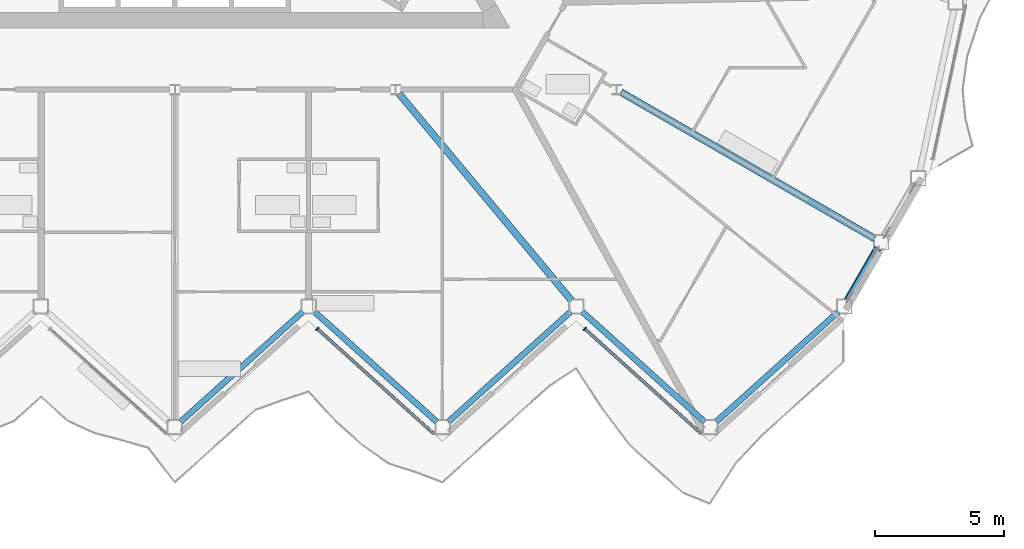
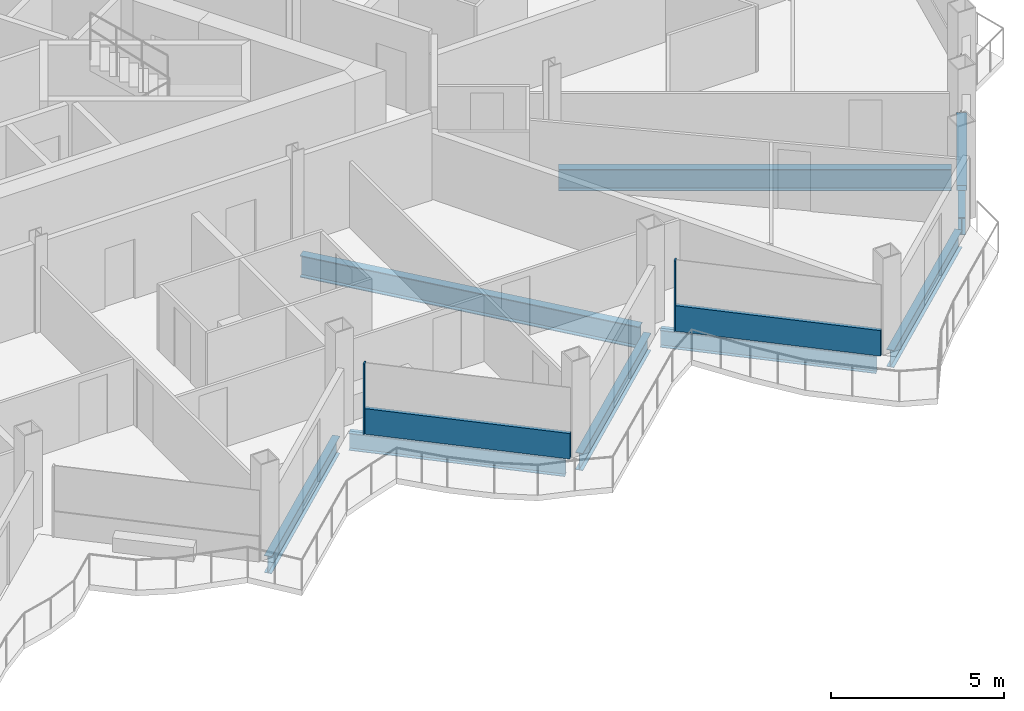
# One storey, part 7 of 27: 8 beams, 5 members, 2 elements without a shape of their own.
"""IFC4 building model written with IfcOpenShell, lengths in metres."""

from ifc_helpers import new_model, si_unit, direction, frame, origin, origin_2d, place, context, subcontext, project, spatial, rectangle, hollow_rectangle, i_section, extrude, material, layer, layer_set, material_profile, profile_set, type_object, element, aggregate, save


model = new_model("IFC4")

# Units and contexts
model_context = context("Model", 3, precision=1e-05, world=origin(), true_north=direction((0.0, 1.0)))
body_context = subcontext(model_context, "Body", "Model", "MODEL_VIEW")
ifc_project = project(units=[si_unit("LENGTHUNIT", "METRE"), si_unit("AREAUNIT", "SQUARE_METRE"), si_unit("VOLUMEUNIT", "CUBIC_METRE"), si_unit("PLANEANGLEUNIT", "RADIAN"), si_unit("MASSUNIT", "GRAM", prefix="KILO")], contexts=[model_context])

# Site, building, storey
site_placement = place(None, origin())
site = spatial("IfcSite", under=ifc_project, at=site_placement, CompositionType="ELEMENT")
building_placement = place(site_placement, origin())
building = spatial("IfcBuilding", under=site, at=building_placement, Name="Cormorant Prow Tower", CompositionType="ELEMENT")
storey_placement = place(building_placement, frame((0.0, 0.0, 318.800048828125)))
storey = spatial("IfcBuildingStorey", under=building, at=storey_placement, Name="L70", CompositionType="ELEMENT", Elevation=318.800048828125)

# Member
ifc_material_1 = material(Name="Structural steel ASTM A500 Gr C", Category="steel")
ifc_material_profile_1 = material_profile(ifc_material_1, hollow_rectangle(XDim=0.3046875, YDim=0.3046875, WallThickness=0.01171875, at=origin_2d()), Name="HSS12x12x1/2")
ifc_profile_set_1 = profile_set([ifc_material_profile_1], Name="Structural steel ASTM A500 Gr C")
member_type_1 = type_object("IfcMemberType", Name="Chamfer brace HSS12x12x1/2", PredefinedType="BRACE", material=ifc_profile_set_1)
member_1_placement = place(storey_placement, frame((26.15283203125, -18.05419921875, 0.740966796875), z_axis=(0.456247183882, 0.790292391402, 0.408994429415), x_axis=(-0.866038851724, 0.499976706761, 0.0)))
element("IfcMember", 1, at=member_1_placement, inside=storey, type_object=member_type_1, Name="Chamfer brace BR3 at ESE00 L70", PredefinedType="BRACE", context=body_context, shape_type="SweptSolid", body=[
    extrude(hollow_rectangle(XDim=0.3046875, YDim=0.3046875, WallThickness=0.01171875, at=origin_2d()), origin(), (0.0, 0.0, 1.0), 2.459228515625),
])

# Beams
ifc_material_2 = material(Name="Structural steel ASTM A992 Gr 50", Category="steel")
ifc_material_profile_2 = material_profile(ifc_material_2, i_section(OverallWidth=0.267822265625, OverallDepth=0.77001953125, WebThickness=0.015625, FlangeThickness=0.025390625, at=origin_2d()), Name="W30x132")
ifc_profile_set_2 = profile_set([ifc_material_profile_2], Name="Structural steel ASTM A992 Gr 50")
beam_type_1 = type_object("IfcBeamType", Name="Radial floor beam W30x132", PredefinedType="BEAM", material=ifc_profile_set_2)
beam_1_placement = place(storey_placement, frame((8.705078125, -10.057373046875, -0.68505859375), z_axis=(0.640239469619, -0.768175384624, 0.0), x_axis=(0.768175384624, 0.640239469619, 0.0)))
element("IfcBeam", 2, at=beam_1_placement, inside=storey, type_object=beam_type_1, Name="Radial floor beam FB3 8 L70", PredefinedType="BEAM", context=body_context, shape_type="SweptSolid", body=[
    extrude(i_section(OverallWidth=0.267822265625, OverallDepth=0.77001953125, WebThickness=0.015625, FlangeThickness=0.025390625, at=origin_2d()), origin(), (0.0, 0.0, 1.0), 10.465087890625),
])
beam_2_placement = place(storey_placement, frame((17.328125, -10.00439453125, -0.68505859375), z_axis=(0.866024637028, -0.500001328059, 0.0), x_axis=(0.500001328059, 0.866024637028, 0.0)))
element("IfcBeam", 3, at=beam_2_placement, inside=storey, type_object=beam_type_1, Name="Radial floor beam FB3 9 L70", PredefinedType="BEAM", context=body_context, shape_type="SweptSolid", body=[
    extrude(i_section(OverallWidth=0.267822265625, OverallDepth=0.77001953125, WebThickness=0.015625, FlangeThickness=0.025390625, at=origin_2d()), origin(), (0.0, 0.0, 1.0), 11.3671875),
])

# Curtain wall, member
ifc_material_3 = material(Name="Aluminium 6063-T6", Category="aluminium")
ifc_layer = layer(ifc_material_3, 0.159912109375)
ifc_layer_set = layer_set([ifc_layer], Name="Aluminium 6063-T6")
curtain_wall_type = type_object("IfcCurtainWallType", Name="Residential unitised curtain wall 160", PredefinedType="NOTDEFINED", material=ifc_layer_set)
curtain_wall_1_placement = place(storey_placement, origin())
curtain_wall_1 = element("IfcCurtainWall", 4, at=curtain_wall_1_placement, inside=storey, type_object=curtain_wall_type, Name="Residential curtain wall S06", PredefinedType="NOTDEFINED")
ifc_material_4 = material(Name="Aluminium 6063-T6", Category="aluminium")
ifc_material_profile_3 = material_profile(ifc_material_4, rectangle(XDim=0.159912109375, YDim=0.050048828125, at=origin_2d()), Name="Residential mullion 50x160")
ifc_profile_set_3 = profile_set([ifc_material_profile_3], Name="Aluminium 6063-T6")
member_type_2 = type_object("IfcMemberType", Name="Residential mullion 50x160", PredefinedType="MULLION", material=ifc_profile_set_3)
member_2_placement = place(storey_placement, frame((5.533935546875, -19.193603515625, 0.0), z_axis=(0.0, 0.0, 1.0), x_axis=(0.669130619757, 0.743144813413, 0.0)))
member_2 = element("IfcMember", 5, at=member_2_placement, type_object=member_type_2, Name="Residential mullion S06", PredefinedType="MULLION", context=body_context, shape_type="SweptSolid", body=[
    extrude(rectangle(XDim=0.159912109375, YDim=0.050048828125, at=origin_2d()), origin(), (0.0, 0.0, 1.0), 2.48779296875),
])

curtain_wall_2_placement = place(storey_placement, origin())
curtain_wall_2 = element("IfcCurtainWall", 6, at=curtain_wall_2_placement, inside=storey, type_object=curtain_wall_type, Name="Residential curtain wall S08", PredefinedType="NOTDEFINED")
member_3_placement = place(storey_placement, frame((15.919677734375, -19.193603515625, 0.0), z_axis=(0.0, 0.0, 1.0), x_axis=(0.669130619757, 0.743144813413, 0.0)))
member_3 = element("IfcMember", 7, at=member_3_placement, type_object=member_type_2, Name="Residential mullion S08", PredefinedType="MULLION", context=body_context, shape_type="SweptSolid", body=[
    extrude(rectangle(XDim=0.159912109375, YDim=0.050048828125, at=origin_2d()), origin(), (0.0, 0.0, 1.0), 2.48779296875),
])

# Member
ifc_material_5 = material(Name="Terracotta", Category="masonry")
ifc_material_profile_4 = material_profile(ifc_material_5, rectangle(XDim=0.1201171875, YDim=0.89990234375, at=origin_2d()), Name="Residential terracotta spandrel rail 120x900")
ifc_profile_set_4 = profile_set([ifc_material_profile_4], Name="Terracotta")
member_type_3 = type_object("IfcMemberType", Name="Residential terracotta spandrel rail 120x900", PredefinedType="USERDEFINED", material=ifc_profile_set_4)
member_4_placement = place(storey_placement, frame((5.552490234375, -19.21044921875, 0.449951171875), z_axis=(0.743162128872, -0.669111388492, 0.0), x_axis=(0.669111388492, 0.743162128872, 0.0)))
member_4 = element("IfcMember", 8, at=member_4_placement, type_object=member_type_3, Name="Residential spandrel rail S06", ObjectType="TRANSOM", PredefinedType="USERDEFINED", context=body_context, shape_type="SweptSolid", body=[
    extrude(rectangle(XDim=0.1201171875, YDim=0.89990234375, at=origin_2d()), origin(), (0.0, 0.0, 1.0), 6.069580078125),
])

aggregate(curtain_wall_1, [member_2, member_4])

member_5_placement = place(storey_placement, frame((15.938232421875, -19.21044921875, 0.449951171875), z_axis=(0.743144119775, -0.66913139012, 0.0), x_axis=(0.66913139012, 0.743144119775, 0.0)))
member_5 = element("IfcMember", 9, at=member_5_placement, type_object=member_type_3, Name="Residential spandrel rail S08", ObjectType="TRANSOM", PredefinedType="USERDEFINED", context=body_context, shape_type="SweptSolid", body=[
    extrude(rectangle(XDim=0.1201171875, YDim=0.89990234375, at=origin_2d()), origin(), (0.0, 0.0, 1.0), 6.069580078125),
])

aggregate(curtain_wall_2, [member_3, member_5])

# Beams
ifc_material_6 = material(Name="Structural steel ASTM A992 Gr 50", Category="steel")
ifc_material_profile_5 = material_profile(ifc_material_6, i_section(OverallWidth=0.22900390625, OverallDepth=0.612060546875, WebThickness=0.011962890625, FlangeThickness=0.01953125, at=origin_2d()), Name="W24x84")
ifc_profile_set_5 = profile_set([ifc_material_profile_5], Name="Structural steel ASTM A992 Gr 50")
beam_type_2 = type_object("IfcBeamType", Name="Spandrel beam W24x84", PredefinedType="SPANDREL", material=ifc_profile_set_5)
for number, where, z_axis, x_axis, name in (
    (10, (0.222900390625, -22.807373046875, -0.606201171875), (0.743144186555, 0.669131315954, 0.0), (-0.669131315954, 0.743144186555, 0.0), "Spandrel beam SB3 S05-S06 L70"),
    (11, (5.422119140625, -18.527587890625, -0.606201171875), (0.743144186555, -0.669131315954, 0.0), (0.669131315954, 0.743144186555, 0.0), "Spandrel beam SB3 S06-S07 L70"),
    (12, (10.62109375, -22.807373046875, -0.606201171875), (0.743144186555, 0.669131315954, 0.0), (-0.669131315954, 0.743144186555, 0.0), "Spandrel beam SB3 S07-S08 L70"),
):
    element("IfcBeam", number, at=place(storey_placement, frame(where, z_axis=z_axis, x_axis=x_axis)), inside=storey, type_object=beam_type_2, Name=name, PredefinedType="SPANDREL", context=body_context, shape_type="SweptSolid", body=[
        extrude(i_section(OverallWidth=0.22900390625, OverallDepth=0.612060546875, WebThickness=0.011962890625, FlangeThickness=0.01953125, at=origin_2d()), origin(), (0.0, 0.0, 1.0), 6.39599609375),
    ])
beam_3_placement = place(storey_placement, frame((15.820068359375, -18.527587890625, -0.606201171875), z_axis=(0.743161276225, -0.669112335502, 0.0), x_axis=(0.669112335502, 0.743161276225, 0.0)))
element("IfcBeam", 13, at=beam_3_placement, inside=storey, type_object=beam_type_2, Name="Spandrel beam SB3 S08-S09 L70", PredefinedType="SPANDREL", context=body_context, shape_type="SweptSolid", body=[
    extrude(i_section(OverallWidth=0.22900390625, OverallDepth=0.612060546875, WebThickness=0.011962890625, FlangeThickness=0.01953125, at=origin_2d()), origin(), (0.0, 0.0, 1.0), 6.396240234375),
])
beam_4_placement = place(storey_placement, frame((21.019287109375, -22.807373046875, -0.606201171875), z_axis=(0.743144186555, 0.669131315954, 0.0), x_axis=(-0.669131315954, 0.743144186555, 0.0)))
element("IfcBeam", 14, at=beam_4_placement, inside=storey, type_object=beam_type_2, Name="Spandrel beam SB3 S09-ESE00 L70", PredefinedType="SPANDREL", context=body_context, shape_type="SweptSolid", body=[
    extrude(i_section(OverallWidth=0.22900390625, OverallDepth=0.612060546875, WebThickness=0.011962890625, FlangeThickness=0.01953125, at=origin_2d()), origin(), (0.0, 0.0, 1.0), 6.39599609375),
])
beam_5_placement = place(storey_placement, frame((26.1455078125, -18.06689453125, -0.606201171875), z_axis=(0.49997342893, 0.866040744055, 0.0), x_axis=(-0.866040744055, 0.49997342893, 0.0)))
element("IfcBeam", 15, at=beam_5_placement, inside=storey, type_object=beam_type_2, Name="Spandrel beam SB3 ESE00-ESE01 L70", PredefinedType="SPANDREL", context=body_context, shape_type="SweptSolid", body=[
    extrude(i_section(OverallWidth=0.22900390625, OverallDepth=0.612060546875, WebThickness=0.011962890625, FlangeThickness=0.01953125, at=origin_2d()), origin(), (0.0, 0.0, 1.0), 2.2734375),
])

save(model, "model.ifc")
